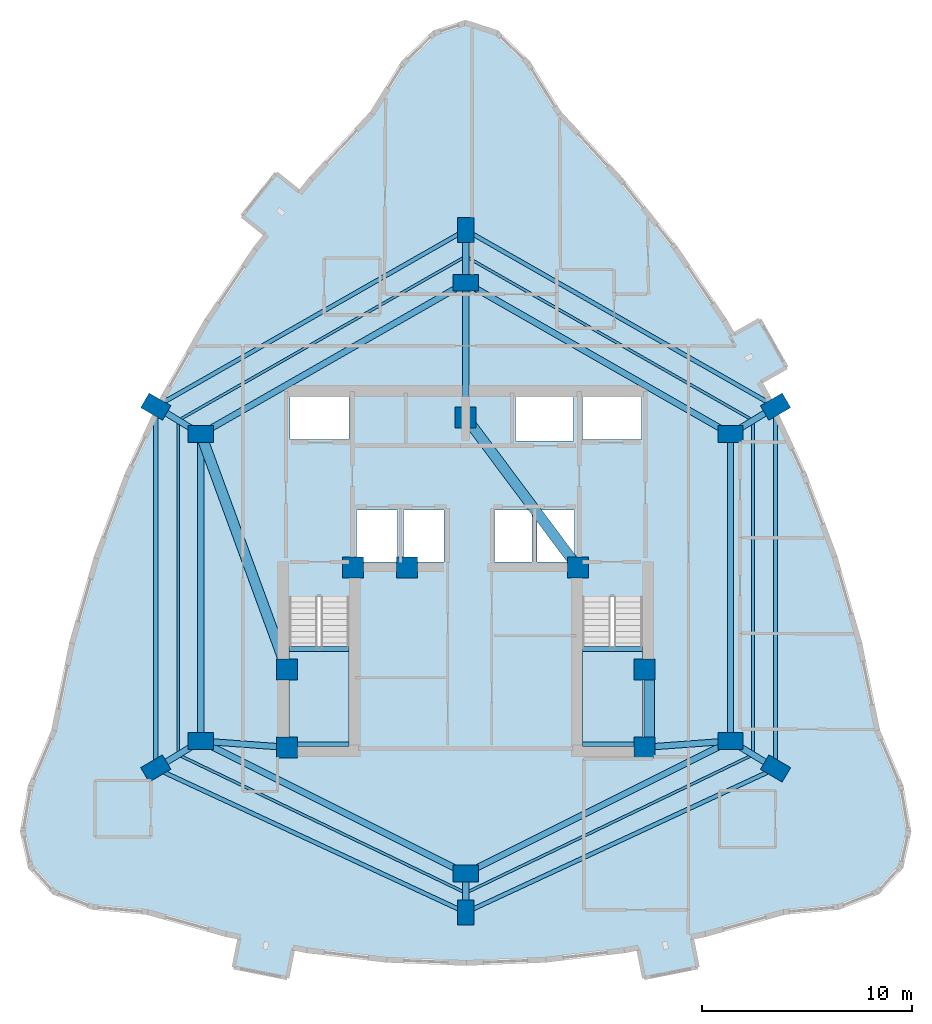
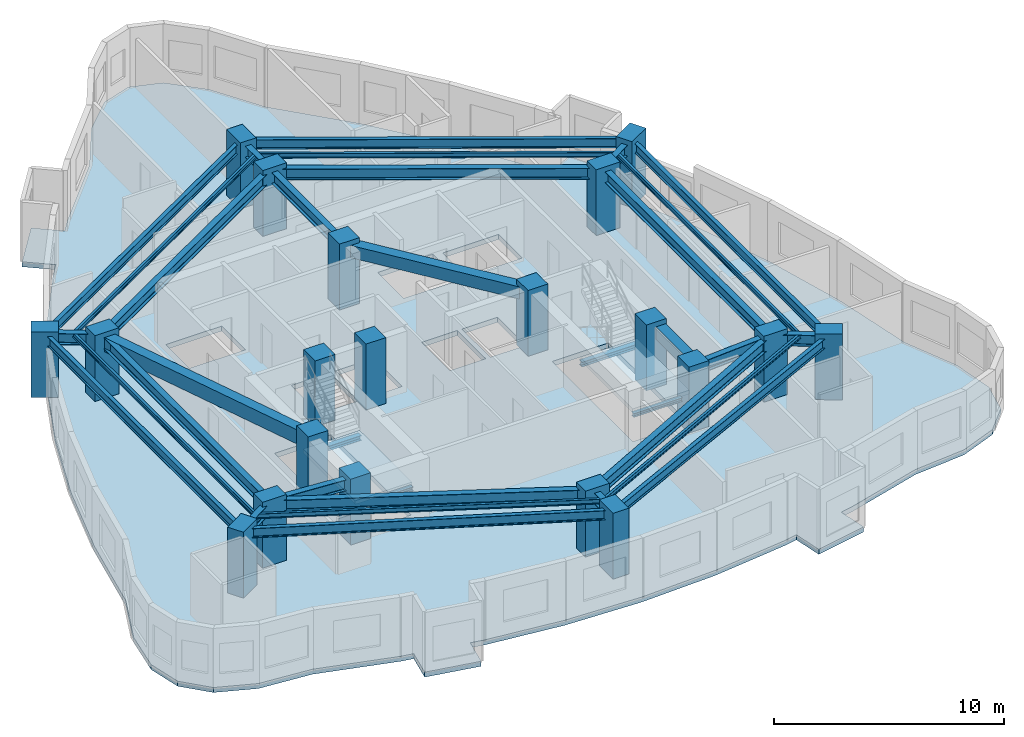
# One storey, part 1 of 8: 34 beams, 20 columns, 3 slabs, 2 elements without a shape of their own.
"""IFC4 building model written with IfcOpenShell, lengths in metres."""

from ifc_helpers import new_model, si_unit, direction, frame, origin, origin_2d, place, context, subcontext, project, spatial, polyline, rectangle, i_section, outline, extrude, material, layer, layer_set, material_profile, profile_set, type_object, element, aggregate, save


model = new_model("IFC4")

# Units and contexts
model_context = context("Model", 3, precision=1e-05, world=origin(), true_north=direction((0.0, 1.0)))
body_context = subcontext(model_context, "Body", "Model", "MODEL_VIEW")
ifc_project = project(units=[si_unit("LENGTHUNIT", "METRE"), si_unit("AREAUNIT", "SQUARE_METRE"), si_unit("VOLUMEUNIT", "CUBIC_METRE"), si_unit("PLANEANGLEUNIT", "RADIAN"), si_unit("MASSUNIT", "GRAM", prefix="KILO")], contexts=[model_context])

# Site, building, storey
site_placement = place(None, origin())
site = spatial("IfcSite", under=ifc_project, at=site_placement, CompositionType="ELEMENT")
building_placement = place(site_placement, origin())
building = spatial("IfcBuilding", under=site, at=building_placement, Name="Miruveldt Soraemaru", CompositionType="ELEMENT")
storey_placement = place(building_placement, frame((0.0, 0.0, 177.39990234375)))
storey = spatial("IfcBuildingStorey", under=building, at=storey_placement, Name="L49", CompositionType="ELEMENT", Elevation=177.39990234375)

# Columns
ifc_material_1 = material(Name="Concrete C60/75 (60 MPa)", Category="concrete")
ifc_material_profile_1 = material_profile(ifc_material_1, rectangle(XDim=1.0, YDim=1.0, at=origin_2d()), Name="Concrete C60/75 (60 MPa)", Category="concrete")
ifc_profile_set_1 = profile_set([ifc_material_profile_1], Name="Concrete C60/75 (60 MPa)")
column_type_1 = type_object("IfcColumnType", Name="COL-CORE-1000", PredefinedType="COLUMN", material=ifc_profile_set_1)
for number, where, z_axis, x_axis, name in (
    (1, (35.5, 35.5, 0.0), (0.0, 0.0, 1.0), (1.0, 0.0, 0.0), "L49 Structural Column CC1"),
    (2, (38.64990234375, 44.050048828125, 0.0), (0.0, 0.0, 1.0), (1.0, 0.0, 0.0), "L49 Structural Column CC2"),
    (3, (52.5, 35.5, 0.0), (0.0, 0.0, 1.0), (1.0, 0.0, 0.0), "L49 Structural Column CC3"),
    (4, (52.5, 39.199951171875, 0.0), (0.0, 0.0, 1.0), (1.0, 0.0, 0.0), "L49 Structural Column CC4"),
    (5, (49.35009765625, 44.050048828125, 0.0), (0.0, 0.0, 1.0), (1.0, 0.0, 0.0), "L49 Structural Column CC5"),
    (6, (44.0, 51.199951171875, 0.0), (0.0, 0.0, 1.0), (1.0, 0.0, 0.0), "L49 Structural Column CC6"),
    (7, (35.5, 39.199951171875, 0.0), (0.0, 0.0, 1.0), (1.0, 0.0, 0.0), "L49 Structural Column CC7"),
    (8, (41.199951171875, 44.050048828125, 0.0), (0.0, 0.0, 1.0), (1.0, 0.0, 0.0), "L49 Structural Column CC8"),
):
    element("IfcColumn", number, at=place(storey_placement, frame(where, z_axis=z_axis, x_axis=x_axis)), inside=storey, type_object=column_type_1, Name=name, PredefinedType="COLUMN", context=body_context, shape_type="SweptSolid", body=[
        extrude(rectangle(XDim=1.0, YDim=1.0, at=origin_2d()), origin(), (0.0, 0.0, 1.0), 3.5),
    ])
ifc_material_2 = material(Name="Concrete C70/85 (70 MPa)", Category="concrete")
ifc_material_profile_2 = material_profile(ifc_material_2, rectangle(XDim=1.199951171875, YDim=0.800048828125, at=origin_2d()), Name="Concrete C70/85 (70 MPa)", Category="concrete")
ifc_profile_set_2 = profile_set([ifc_material_profile_2], Name="Concrete C70/85 (70 MPa)")
column_type_2 = type_object("IfcColumnType", Name="COL-TW-Z2", PredefinedType="COLUMN", material=ifc_profile_set_2)
for number, where, z_axis, x_axis, name in (
    (9, (44.0, 57.60009765625, 0.0), (0.0, 0.0, 1.0), (1.0, 0.0, 0.0), "L49 Structural Column IR01"),
    (10, (56.60009765625, 50.39990234375, 0.0), (0.0, 0.0, 1.0), (1.0, 0.0, 0.0), "L49 Structural Column IR02"),
    (11, (56.60009765625, 35.800048828125, 0.0), (0.0, 0.0, 1.0), (1.0, 0.0, 0.0), "L49 Structural Column IR03"),
    (12, (44.0, 29.5, 0.0), (0.0, 0.0, 1.0), (1.0, 0.0, 0.0), "L49 Structural Column IR04"),
    (13, (31.39990234375, 35.800048828125, 0.0), (0.0, 0.0, 1.0), (1.0, 0.0, 0.0), "L49 Structural Column IR05"),
    (14, (31.39990234375, 50.39990234375, 0.0), (0.0, 0.0, 1.0), (1.0, 0.0, 0.0), "L49 Structural Column IR06"),
    (15, (44.0, 60.10595703125, 0.0), (0.0, 0.0, 1.0), (0.0, 1.0, 0.0), "L49 Structural Column Z2P01"),
    (16, (58.739990234375, 51.705078125, 0.0), (0.0, 0.0, 1.0), (0.866025403784, 0.5, 0.0), "L49 Structural Column Z2P02"),
    (17, (58.739990234375, 34.4951171875, 0.0), (0.0, 0.0, 1.0), (-0.860742027004, 0.50904141575, 0.0), "L49 Structural Column Z2P03"),
    (18, (44.0, 27.64697265625, 0.0), (0.0, 0.0, 1.0), (0.0, 1.0, 0.0), "L49 Structural Column Z2P04"),
    (19, (29.260009765625, 34.4951171875, 0.0), (0.0, 0.0, 1.0), (0.860742027004, 0.50904141575, 0.0), "L49 Structural Column Z2P05"),
    (20, (29.260009765625, 51.705078125, 0.0), (0.0, 0.0, 1.0), (-0.866025403784, 0.5, 0.0), "L49 Structural Column Z2P06"),
):
    element("IfcColumn", number, at=place(storey_placement, frame(where, z_axis=z_axis, x_axis=x_axis)), inside=storey, type_object=column_type_2, Name=name, PredefinedType="COLUMN", context=body_context, shape_type="SweptSolid", body=[
        extrude(rectangle(XDim=1.199951171875, YDim=0.800048828125, at=origin_2d()), origin(), (0.0, 0.0, 1.0), 3.5),
    ])

# Beams
ifc_material_3 = material(Name="Concrete C50/60 (50 MPa)", Category="concrete")
ifc_material_profile_3 = material_profile(ifc_material_3, rectangle(XDim=0.5, YDim=0.64990234375, at=origin_2d()), Name="Concrete C50/60 (50 MPa)", Category="concrete")
ifc_profile_set_3 = profile_set([ifc_material_profile_3], Name="Concrete C50/60 (50 MPa)")
beam_type_1 = type_object("IfcBeamType", Name="BM-RC-500x650", PredefinedType="BEAM", material=ifc_profile_set_3)
beam_1_placement = place(storey_placement, frame((52.72998046875, 35.5, 2.91015625), z_axis=(0.0, 1.0, 0.0), x_axis=(-1.0, 0.0, 0.0)))
element("IfcBeam", 21, at=beam_1_placement, inside=storey, type_object=beam_type_1, Name="L49 Core Tie Beam 3", PredefinedType="BEAM", context=body_context, shape_type="SweptSolid", body=[
    extrude(rectangle(XDim=0.5, YDim=0.64990234375, at=origin_2d()), origin(), (0.0, 0.0, 1.0), 3.699951171875),
])
beam_2_placement = place(storey_placement, frame((49.35009765625, 44.050048828125, 2.91015625), z_axis=(-0.599116023999, 0.800662219533, 0.0), x_axis=(-0.800662219533, -0.599116023999, 0.0)))
element("IfcBeam", 22, at=beam_2_placement, inside=storey, type_object=beam_type_1, Name="L49 Core Tie Beam 5", PredefinedType="BEAM", context=body_context, shape_type="SweptSolid", body=[
    extrude(rectangle(XDim=0.5, YDim=0.64990234375, at=origin_2d()), origin(), (0.0, 0.0, 1.0), 8.929931640625),
])
ifc_material_4 = material(Name="Concrete C40/50 (40 MPa)", Category="concrete")
ifc_material_profile_4 = material_profile(ifc_material_4, rectangle(XDim=0.5, YDim=0.75, at=origin_2d()), Name="Concrete C40/50 (40 MPa)", Category="concrete")
ifc_profile_set_4 = profile_set([ifc_material_profile_4], Name="Concrete C40/50 (40 MPa)")
beam_type_2 = type_object("IfcBeamType", Name="BM-RC-500x750", PredefinedType="LINTEL", material=ifc_profile_set_4)
beam_3_placement = place(storey_placement, frame((31.39990234375, 50.39990234375, 2.860107421875), z_axis=(0.343770424598, -0.939053723262, 0.0), x_axis=(0.939053723262, 0.343770424598, 0.0)))
element("IfcBeam", 23, at=beam_3_placement, inside=storey, type_object=beam_type_2, Name="L49 West Lobby Lintel", PredefinedType="LINTEL", context=body_context, shape_type="SweptSolid", body=[
    extrude(rectangle(XDim=0.5, YDim=0.75, at=origin_2d()), origin(), (0.0, 0.0, 1.0), 11.9267578125),
])
ifc_material_5 = material(Name="Steel SM355 (355 MPa)", Category="steel")
ifc_material_profile_5 = material_profile(ifc_material_5, i_section(OverallWidth=0.125, OverallDepth=0.25, WebThickness=0.006103515625, FlangeThickness=0.009033203125, FilletRadius=0.011962890625, at=origin_2d()), Name="Steel SM355 (355 MPa)", Category="steel")
ifc_profile_set_5 = profile_set([ifc_material_profile_5], Name="Steel SM355 (355 MPa)")
beam_type_3 = type_object("IfcBeamType", Name="BM-ST-H250", PredefinedType="JOIST", material=ifc_profile_set_5)
beam_4_placement = place(storey_placement, frame((44.0, 58.85302734375, 3.110107421875), z_axis=(0.868539859756, -0.495619321672, 0.0), x_axis=(0.495619321672, 0.868539859756, 0.0)))
element("IfcBeam", 24, at=beam_4_placement, inside=storey, type_object=beam_type_3, Name="L49 Outer Bay Floor Joist 1", PredefinedType="JOIST", context=body_context, shape_type="SweptSolid", body=[
    extrude(i_section(OverallWidth=0.125, OverallDepth=0.25, WebThickness=0.006103515625, FlangeThickness=0.009033203125, FilletRadius=0.011962890625, at=origin_2d()), origin(), (0.0, 0.0, 1.0), 15.739013671875),
])
beam_5_placement = place(storey_placement, frame((57.669921875, 51.052490234375, 3.110107421875), z_axis=(0.0, -1.0, 0.0), x_axis=(1.0, 0.0, 0.0)))
element("IfcBeam", 25, at=beam_5_placement, inside=storey, type_object=beam_type_3, Name="L49 Outer Bay Floor Joist 2", PredefinedType="JOIST", context=body_context, shape_type="SweptSolid", body=[
    extrude(i_section(OverallWidth=0.125, OverallDepth=0.25, WebThickness=0.006103515625, FlangeThickness=0.009033203125, FilletRadius=0.011962890625, at=origin_2d()), origin(), (0.0, 0.0, 1.0), 15.905029296875),
])
for number, where, z_axis, x_axis, name in (
    (26, (57.669921875, 35.1474609375, 3.110107421875), (-0.901203586802, -0.433396002676, 0.0), (0.433396002676, -0.901203586802, 0.0), "L49 Outer Bay Floor Joist 3"),
    (27, (44.0, 28.573486328125, 3.110107421875), (-0.901203586802, 0.433396002676, 0.0), (-0.433396002676, -0.901203586802, 0.0), "L49 Outer Bay Floor Joist 4"),
):
    element("IfcBeam", number, at=place(storey_placement, frame(where, z_axis=z_axis, x_axis=x_axis)), inside=storey, type_object=beam_type_3, Name=name, PredefinedType="JOIST", context=body_context, shape_type="SweptSolid", body=[
        extrude(i_section(OverallWidth=0.125, OverallDepth=0.25, WebThickness=0.006103515625, FlangeThickness=0.009033203125, FilletRadius=0.011962890625, at=origin_2d()), origin(), (0.0, 0.0, 1.0), 15.16845703125),
    ])
beam_6_placement = place(storey_placement, frame((30.330078125, 35.1474609375, 3.110107421875), z_axis=(0.0, 1.0, 0.0), x_axis=(-1.0, 0.0, 0.0)))
element("IfcBeam", 28, at=beam_6_placement, inside=storey, type_object=beam_type_3, Name="L49 Outer Bay Floor Joist 5", PredefinedType="JOIST", context=body_context, shape_type="SweptSolid", body=[
    extrude(i_section(OverallWidth=0.125, OverallDepth=0.25, WebThickness=0.006103515625, FlangeThickness=0.009033203125, FilletRadius=0.011962890625, at=origin_2d()), origin(), (0.0, 0.0, 1.0), 15.905029296875),
])
beam_7_placement = place(storey_placement, frame((30.330078125, 51.052490234375, 3.110107421875), z_axis=(0.868539859756, 0.495619321672, 0.0), x_axis=(-0.495619321672, 0.868539859756, 0.0)))
element("IfcBeam", 29, at=beam_7_placement, inside=storey, type_object=beam_type_3, Name="L49 Outer Bay Floor Joist 6", PredefinedType="JOIST", context=body_context, shape_type="SweptSolid", body=[
    extrude(i_section(OverallWidth=0.125, OverallDepth=0.25, WebThickness=0.006103515625, FlangeThickness=0.009033203125, FilletRadius=0.011962890625, at=origin_2d()), origin(), (0.0, 0.0, 1.0), 15.739013671875),
])
ifc_material_profile_6 = material_profile(ifc_material_5, i_section(OverallWidth=0.199951171875, OverallDepth=0.5, WebThickness=0.010009765625, FlangeThickness=0.01611328125, FilletRadius=0.02001953125, at=origin_2d()), Name="Steel SM355 (355 MPa)", Category="steel")
ifc_profile_set_6 = profile_set([ifc_material_profile_6], Name="Steel SM355 (355 MPa)")
beam_type_4 = type_object("IfcBeamType", Name="BM-ST-H500", PredefinedType="SPANDREL", material=ifc_profile_set_6)
beam_8_placement = place(storey_placement, frame((44.0, 60.10595703125, 2.985107421875), z_axis=(0.86880048516, -0.495162313778, 0.0), x_axis=(0.495162313778, 0.86880048516, 0.0)))
element("IfcBeam", 30, at=beam_8_placement, inside=storey, type_object=beam_type_4, Name="L49 Zone-2 Spandrel Beam 1", PredefinedType="SPANDREL", context=body_context, shape_type="SweptSolid", body=[
    extrude(i_section(OverallWidth=0.199951171875, OverallDepth=0.5, WebThickness=0.010009765625, FlangeThickness=0.01611328125, FilletRadius=0.02001953125, at=origin_2d()), origin(), (0.0, 0.0, 1.0), 16.9658203125),
])
beam_9_placement = place(storey_placement, frame((58.739990234375, 51.705078125, 2.985107421875), z_axis=(0.0, -1.0, 0.0), x_axis=(1.0, 0.0, 0.0)))
element("IfcBeam", 31, at=beam_9_placement, inside=storey, type_object=beam_type_4, Name="L49 Zone-2 Spandrel Beam 2", PredefinedType="SPANDREL", context=body_context, shape_type="SweptSolid", body=[
    extrude(i_section(OverallWidth=0.199951171875, OverallDepth=0.5, WebThickness=0.010009765625, FlangeThickness=0.01611328125, FilletRadius=0.02001953125, at=origin_2d()), origin(), (0.0, 0.0, 1.0), 17.2099609375),
])
for number, where, z_axis, x_axis, name in (
    (32, (58.739990234375, 34.4951171875, 2.985107421875), (-0.906901362829, -0.421342993414, 0.0), (0.421342993414, -0.906901362829, 0.0), "L49 Zone-2 Spandrel Beam 3"),
    (33, (44.0, 27.64697265625, 2.985107421875), (-0.906901362829, 0.421342993414, 0.0), (-0.421342993414, -0.906901362829, 0.0), "L49 Zone-2 Spandrel Beam 4"),
):
    element("IfcBeam", number, at=place(storey_placement, frame(where, z_axis=z_axis, x_axis=x_axis)), inside=storey, type_object=beam_type_4, Name=name, PredefinedType="SPANDREL", context=body_context, shape_type="SweptSolid", body=[
        extrude(i_section(OverallWidth=0.199951171875, OverallDepth=0.5, WebThickness=0.010009765625, FlangeThickness=0.01611328125, FilletRadius=0.02001953125, at=origin_2d()), origin(), (0.0, 0.0, 1.0), 16.253173828125),
    ])
beam_10_placement = place(storey_placement, frame((29.260009765625, 34.4951171875, 2.985107421875), z_axis=(0.0, 1.0, 0.0), x_axis=(-1.0, 0.0, 0.0)))
element("IfcBeam", 34, at=beam_10_placement, inside=storey, type_object=beam_type_4, Name="L49 Zone-2 Spandrel Beam 5", PredefinedType="SPANDREL", context=body_context, shape_type="SweptSolid", body=[
    extrude(i_section(OverallWidth=0.199951171875, OverallDepth=0.5, WebThickness=0.010009765625, FlangeThickness=0.01611328125, FilletRadius=0.02001953125, at=origin_2d()), origin(), (0.0, 0.0, 1.0), 17.2099609375),
])
beam_11_placement = place(storey_placement, frame((29.260009765625, 51.705078125, 2.985107421875), z_axis=(0.86880048516, 0.495162313778, 0.0), x_axis=(-0.495162313778, 0.86880048516, 0.0)))
element("IfcBeam", 35, at=beam_11_placement, inside=storey, type_object=beam_type_4, Name="L49 Zone-2 Spandrel Beam 6", PredefinedType="SPANDREL", context=body_context, shape_type="SweptSolid", body=[
    extrude(i_section(OverallWidth=0.199951171875, OverallDepth=0.5, WebThickness=0.010009765625, FlangeThickness=0.01611328125, FilletRadius=0.02001953125, at=origin_2d()), origin(), (0.0, 0.0, 1.0), 16.9658203125),
])
ifc_material_profile_7 = material_profile(ifc_material_5, i_section(OverallWidth=0.300048828125, OverallDepth=0.587890625, WebThickness=0.011962890625, FlangeThickness=0.02001953125, FilletRadius=0.028076171875, at=origin_2d()), Name="Steel SM355 (355 MPa)", Category="steel")
ifc_profile_set_7 = profile_set([ifc_material_profile_7], Name="Steel SM355 (355 MPa)")
beam_type_5 = type_object("IfcBeamType", Name="BM-ST-H588", PredefinedType="BEAM", material=ifc_profile_set_7)
beam_12_placement = place(storey_placement, frame((44.0, 57.60009765625, 2.941162109375), z_axis=(0.868239001029, -0.496146185203, 0.0), x_axis=(0.496146185203, 0.868239001029, 0.0)))
element("IfcBeam", 36, at=beam_12_placement, inside=storey, type_object=beam_type_5, Name="L49 Inner Ring Girder 1", PredefinedType="BEAM", context=body_context, shape_type="SweptSolid", body=[
    extrude(i_section(OverallWidth=0.300048828125, OverallDepth=0.587890625, WebThickness=0.011962890625, FlangeThickness=0.02001953125, FilletRadius=0.028076171875, at=origin_2d()), origin(), (0.0, 0.0, 1.0), 14.51220703125),
])
beam_13_placement = place(storey_placement, frame((44.0, 51.199951171875, 2.941162109375), z_axis=(0.0, 1.0, 0.0), x_axis=(-1.0, 0.0, 0.0)))
element("IfcBeam", 37, at=beam_13_placement, inside=storey, type_object=beam_type_5, Name="L49 Core-to-Inner Radial Girder 1", PredefinedType="BEAM", context=body_context, shape_type="SweptSolid", body=[
    extrude(i_section(OverallWidth=0.300048828125, OverallDepth=0.587890625, WebThickness=0.011962890625, FlangeThickness=0.02001953125, FilletRadius=0.028076171875, at=origin_2d()), origin(), (0.0, 0.0, 1.0), 6.400146484375),
])
beam_14_placement = place(storey_placement, frame((56.60009765625, 50.39990234375, 2.941162109375), z_axis=(0.0, -1.0, 0.0), x_axis=(1.0, 0.0, 0.0)))
element("IfcBeam", 38, at=beam_14_placement, inside=storey, type_object=beam_type_5, Name="L49 Inner Ring Girder 2", PredefinedType="BEAM", context=body_context, shape_type="SweptSolid", body=[
    extrude(i_section(OverallWidth=0.300048828125, OverallDepth=0.587890625, WebThickness=0.011962890625, FlangeThickness=0.02001953125, FilletRadius=0.028076171875, at=origin_2d()), origin(), (0.0, 0.0, 1.0), 14.599853515625),
])
beam_15_placement = place(storey_placement, frame((56.60009765625, 35.800048828125, 2.941162109375), z_axis=(-0.894427191, -0.4472135955, 0.0), x_axis=(0.4472135955, -0.894427191, 0.0)))
element("IfcBeam", 39, at=beam_15_placement, inside=storey, type_object=beam_type_5, Name="L49 Inner Ring Girder 3", PredefinedType="BEAM", context=body_context, shape_type="SweptSolid", body=[
    extrude(i_section(OverallWidth=0.300048828125, OverallDepth=0.587890625, WebThickness=0.011962890625, FlangeThickness=0.02001953125, FilletRadius=0.028076171875, at=origin_2d()), origin(), (0.0, 0.0, 1.0), 14.08740234375),
])
beam_16_placement = place(storey_placement, frame((52.5, 35.5, 2.941162109375), z_axis=(0.997332985605, 0.072985723431, 0.0), x_axis=(-0.072985723431, 0.997332985605, 0.0)))
element("IfcBeam", 40, at=beam_16_placement, inside=storey, type_object=beam_type_5, Name="L49 Core-to-Inner Radial Girder 3", PredefinedType="BEAM", context=body_context, shape_type="SweptSolid", body=[
    extrude(i_section(OverallWidth=0.300048828125, OverallDepth=0.587890625, WebThickness=0.011962890625, FlangeThickness=0.02001953125, FilletRadius=0.028076171875, at=origin_2d()), origin(), (0.0, 0.0, 1.0), 4.111083984375),
])
beam_17_placement = place(storey_placement, frame((44.0, 29.5, 2.941162109375), z_axis=(-0.894427191, 0.4472135955, 0.0), x_axis=(-0.4472135955, -0.894427191, 0.0)))
element("IfcBeam", 41, at=beam_17_placement, inside=storey, type_object=beam_type_5, Name="L49 Inner Ring Girder 4", PredefinedType="BEAM", context=body_context, shape_type="SweptSolid", body=[
    extrude(i_section(OverallWidth=0.300048828125, OverallDepth=0.587890625, WebThickness=0.011962890625, FlangeThickness=0.02001953125, FilletRadius=0.028076171875, at=origin_2d()), origin(), (0.0, 0.0, 1.0), 14.08740234375),
])
beam_18_placement = place(storey_placement, frame((31.39990234375, 35.800048828125, 2.941162109375), z_axis=(0.0, 1.0, 0.0), x_axis=(-1.0, 0.0, 0.0)))
element("IfcBeam", 42, at=beam_18_placement, inside=storey, type_object=beam_type_5, Name="L49 Inner Ring Girder 5", PredefinedType="BEAM", context=body_context, shape_type="SweptSolid", body=[
    extrude(i_section(OverallWidth=0.300048828125, OverallDepth=0.587890625, WebThickness=0.011962890625, FlangeThickness=0.02001953125, FilletRadius=0.028076171875, at=origin_2d()), origin(), (0.0, 0.0, 1.0), 14.599853515625),
])
beam_19_placement = place(storey_placement, frame((35.5, 35.5, 2.941162109375), z_axis=(-0.997332985605, 0.072985723431, 0.0), x_axis=(-0.072985723431, -0.997332985605, 0.0)))
element("IfcBeam", 43, at=beam_19_placement, inside=storey, type_object=beam_type_5, Name="L49 Core-to-Inner Radial Girder 5", PredefinedType="BEAM", context=body_context, shape_type="SweptSolid", body=[
    extrude(i_section(OverallWidth=0.300048828125, OverallDepth=0.587890625, WebThickness=0.011962890625, FlangeThickness=0.02001953125, FilletRadius=0.028076171875, at=origin_2d()), origin(), (0.0, 0.0, 1.0), 4.111083984375),
])
beam_20_placement = place(storey_placement, frame((31.39990234375, 50.39990234375, 2.941162109375), z_axis=(0.868239001029, 0.496146185203, 0.0), x_axis=(-0.496146185203, 0.868239001029, 0.0)))
element("IfcBeam", 44, at=beam_20_placement, inside=storey, type_object=beam_type_5, Name="L49 Inner Ring Girder 6", PredefinedType="BEAM", context=body_context, shape_type="SweptSolid", body=[
    extrude(i_section(OverallWidth=0.300048828125, OverallDepth=0.587890625, WebThickness=0.011962890625, FlangeThickness=0.02001953125, FilletRadius=0.028076171875, at=origin_2d()), origin(), (0.0, 0.0, 1.0), 14.51220703125),
])
beam_21_placement = place(storey_placement, frame((44.0, 57.60009765625, 2.941162109375), z_axis=(0.0, 1.0, 0.0), x_axis=(-1.0, 0.0, 0.0)))
element("IfcBeam", 45, at=beam_21_placement, inside=storey, type_object=beam_type_5, Name="L49 Zone-2 Radial Girder 1", PredefinedType="BEAM", context=body_context, shape_type="SweptSolid", body=[
    extrude(i_section(OverallWidth=0.300048828125, OverallDepth=0.587890625, WebThickness=0.011962890625, FlangeThickness=0.02001953125, FilletRadius=0.028076171875, at=origin_2d()), origin(), (0.0, 0.0, 1.0), 2.505859375),
])
beam_22_placement = place(storey_placement, frame((56.60009765625, 50.39990234375, 2.941162109375), z_axis=(0.85373175529, 0.520713059188, 0.0), x_axis=(-0.520713059188, 0.85373175529, 0.0)))
element("IfcBeam", 46, at=beam_22_placement, inside=storey, type_object=beam_type_5, Name="L49 Zone-2 Radial Girder 2", PredefinedType="BEAM", context=body_context, shape_type="SweptSolid", body=[
    extrude(i_section(OverallWidth=0.300048828125, OverallDepth=0.587890625, WebThickness=0.011962890625, FlangeThickness=0.02001953125, FilletRadius=0.028076171875, at=origin_2d()), origin(), (0.0, 0.0, 1.0), 2.506591796875),
])
beam_23_placement = place(storey_placement, frame((56.60009765625, 35.800048828125, 2.941162109375), z_axis=(0.853775054686, -0.5206420613, 0.0), x_axis=(0.5206420613, 0.853775054686, 0.0)))
element("IfcBeam", 47, at=beam_23_placement, inside=storey, type_object=beam_type_5, Name="L49 Zone-2 Radial Girder 3", PredefinedType="BEAM", context=body_context, shape_type="SweptSolid", body=[
    extrude(i_section(OverallWidth=0.300048828125, OverallDepth=0.587890625, WebThickness=0.011962890625, FlangeThickness=0.02001953125, FilletRadius=0.028076171875, at=origin_2d()), origin(), (0.0, 0.0, 1.0), 2.50634765625),
])
beam_24_placement = place(storey_placement, frame((44.0, 29.5, 2.941162109375), z_axis=(0.0, -1.0, 0.0), x_axis=(1.0, 0.0, 0.0)))
element("IfcBeam", 48, at=beam_24_placement, inside=storey, type_object=beam_type_5, Name="L49 Zone-2 Radial Girder 4", PredefinedType="BEAM", context=body_context, shape_type="SweptSolid", body=[
    extrude(i_section(OverallWidth=0.300048828125, OverallDepth=0.587890625, WebThickness=0.011962890625, FlangeThickness=0.02001953125, FilletRadius=0.028076171875, at=origin_2d()), origin(), (0.0, 0.0, 1.0), 1.85302734375),
])
beam_25_placement = place(storey_placement, frame((31.39990234375, 35.800048828125, 2.941162109375), z_axis=(-0.853775054686, -0.5206420613, 0.0), x_axis=(0.5206420613, -0.853775054686, 0.0)))
element("IfcBeam", 49, at=beam_25_placement, inside=storey, type_object=beam_type_5, Name="L49 Zone-2 Radial Girder 5", PredefinedType="BEAM", context=body_context, shape_type="SweptSolid", body=[
    extrude(i_section(OverallWidth=0.300048828125, OverallDepth=0.587890625, WebThickness=0.011962890625, FlangeThickness=0.02001953125, FilletRadius=0.028076171875, at=origin_2d()), origin(), (0.0, 0.0, 1.0), 2.50634765625),
])
beam_26_placement = place(storey_placement, frame((31.39990234375, 50.39990234375, 2.941162109375), z_axis=(-0.85373175529, 0.520713059188, 0.0), x_axis=(-0.520713059188, -0.85373175529, 0.0)))
element("IfcBeam", 50, at=beam_26_placement, inside=storey, type_object=beam_type_5, Name="L49 Zone-2 Radial Girder 6", PredefinedType="BEAM", context=body_context, shape_type="SweptSolid", body=[
    extrude(i_section(OverallWidth=0.300048828125, OverallDepth=0.587890625, WebThickness=0.011962890625, FlangeThickness=0.02001953125, FilletRadius=0.028076171875, at=origin_2d()), origin(), (0.0, 0.0, 1.0), 2.506591796875),
])
ifc_material_profile_8 = material_profile(ifc_material_5, i_section(OverallWidth=0.199951171875, OverallDepth=0.199951171875, WebThickness=0.008056640625, FlangeThickness=0.011962890625, FilletRadius=0.012939453125, at=origin_2d()), Name="Steel SM355 (355 MPa)", Category="steel")
ifc_profile_set_8 = profile_set([ifc_material_profile_8], Name="Steel SM355 (355 MPa)")
beam_type_6 = type_object("IfcBeamType", Name="BM-ST-LND200", PredefinedType="BEAM", material=ifc_profile_set_8)
for number, where, z_axis, x_axis, name in (
    (51, (35.60009765625, 35.64990234375, 1.4501953125), (1.0, 0.0, 0.0), (0.0, 1.0, 0.0), "L49 ST1 Landing End Beam 1B"),
    (52, (49.550048828125, 35.64990234375, 1.4501953125), (1.0, 0.0, 0.0), (0.0, 1.0, 0.0), "L49 ST2 Landing End Beam 1B"),
):
    element("IfcBeam", number, at=place(storey_placement, frame(where, z_axis=z_axis, x_axis=x_axis)), inside=storey, type_object=beam_type_6, Name=name, PredefinedType="BEAM", context=body_context, shape_type="SweptSolid", body=[
        extrude(i_section(OverallWidth=0.199951171875, OverallDepth=0.199951171875, WebThickness=0.008056640625, FlangeThickness=0.011962890625, FilletRadius=0.012939453125, at=origin_2d()), origin(), (0.0, 0.0, 1.0), 2.849853515625),
    ])
ifc_material_profile_9 = material_profile(ifc_material_5, i_section(OverallWidth=0.25, OverallDepth=0.25, WebThickness=0.009033203125, FlangeThickness=0.013916015625, FilletRadius=0.01611328125, at=origin_2d()), Name="Steel SM355 (355 MPa)", Category="steel")
ifc_profile_set_9 = profile_set([ifc_material_profile_9], Name="Steel SM355 (355 MPa)")
beam_type_7 = type_object("IfcBeamType", Name="BM-ST-LND250", PredefinedType="BEAM", material=ifc_profile_set_9)
for number, where, z_axis, x_axis, name in (
    (53, (35.60009765625, 40.179931640625, 1.425048828125), (1.0, 0.0, 0.0), (0.0, 1.0, 0.0), "L49 ST1 Landing Support Beam 1A"),
    (54, (49.550048828125, 40.179931640625, 1.425048828125), (1.0, 0.0, 0.0), (0.0, 1.0, 0.0), "L49 ST2 Landing Support Beam 1A"),
):
    element("IfcBeam", number, at=place(storey_placement, frame(where, z_axis=z_axis, x_axis=x_axis)), inside=storey, type_object=beam_type_7, Name=name, PredefinedType="BEAM", context=body_context, shape_type="SweptSolid", body=[
        extrude(i_section(OverallWidth=0.25, OverallDepth=0.25, WebThickness=0.009033203125, FlangeThickness=0.013916015625, FilletRadius=0.01611328125, at=origin_2d()), origin(), (0.0, 0.0, 1.0), 2.849853515625),
    ])

# Stair, slab
stair_type = type_object("IfcStairType", Name="STAIR-DL-350", PredefinedType="HALF_TURN_STAIR", material=ifc_material_4)
stair_1_placement = place(storey_placement, origin())
stair_1 = element("IfcStair", 55, at=stair_1_placement, inside=storey, type_object=stair_type, Name="L49 Protected Exit Stair ST-1", PredefinedType="HALF_TURN_STAIR")
ifc_layer_1 = layer(ifc_material_4, 0.199951171875, Name="Concrete C40/50 (40 MPa)", Category="concrete")
ifc_layer_set_1 = layer_set([ifc_layer_1], Name="Concrete C40/50 (40 MPa)")
slab_type_1 = type_object("IfcSlabType", Name="SLAB-LAND-200", PredefinedType="LANDING", material=ifc_layer_set_1)
slab_1_placement = place(storey_placement, frame((0.0, 0.0, 1.550048828125)))
slab_1 = element("IfcSlab", 56, at=slab_1_placement, type_object=slab_type_1, Name="ST-1 landing 1", PredefinedType="LANDING", context=body_context, shape_type="SweptSolid", body=[
    extrude(outline(polyline([(35.60009765625, 40.197998046875), (35.60009765625, 35.64990234375), (38.449951171875, 35.64990234375), (38.449951171875, 40.197998046875), (35.60009765625, 40.197998046875)])), origin(), (0.0, 0.0, 1.0), 0.199951171875),
])
aggregate(stair_1, [slab_1])

stair_2_placement = place(storey_placement, origin())
stair_2 = element("IfcStair", 57, at=stair_2_placement, inside=storey, type_object=stair_type, Name="L49 Protected Exit Stair ST-2", PredefinedType="HALF_TURN_STAIR")
slab_2_placement = place(storey_placement, frame((0.0, 0.0, 1.550048828125)))
slab_2 = element("IfcSlab", 58, at=slab_2_placement, type_object=slab_type_1, Name="ST-2 landing 1", PredefinedType="LANDING", context=body_context, shape_type="SweptSolid", body=[
    extrude(outline(polyline([(49.550048828125, 40.197998046875), (49.550048828125, 35.64990234375), (52.39990234375, 35.64990234375), (52.39990234375, 40.197998046875), (49.550048828125, 40.197998046875)])), origin(), (0.0, 0.0, 1.0), 0.199951171875),
])
aggregate(stair_2, [slab_2])

# Slab
ifc_layer_2 = layer(ifc_material_4, 0.264892578125, Name="Concrete C40/50 (40 MPa)", Category="concrete")
ifc_layer_set_2 = layer_set([ifc_layer_2], Name="Concrete C40/50 (40 MPa)")
slab_type_2 = type_object("IfcSlabType", Name="SLAB-RES2-265", PredefinedType="FLOOR", material=ifc_layer_set_2)
slab_3_placement = place(storey_placement, frame((0.0, 0.0, -0.264892578125)))
element("IfcSlab", 59, at=slab_3_placement, inside=storey, type_object=slab_type_2, Name="L49 Structural Floor Slab", PredefinedType="FLOOR", context=body_context, shape_type="SweptSolid", body=[
    extrude(outline(polyline([(32.964599609375, 25.035888671875), (33.254638671875, 26.4873046875), (34.529541015625, 26.232421875), (32.635498046875, 26.611083984375), (28.84716796875, 27.671875), (26.2626953125, 27.91064453125), (24.41650390625, 28.626708984375), (23.30908203125, 29.820556640625), (22.939697265625, 31.49169921875), (23.30908203125, 33.640380859375), (24.41650390625, 36.2666015625), (25.281982421875, 40.471435546875), (26.441162109375, 44.5244140625), (27.894287109375, 48.42626953125), (29.641357421875, 52.17626953125), (31.6826171875, 55.77490234375), (34.017578125, 59.221923828125), (34.521240234375, 59.853515625), (33.3642578125, 60.776611328125), (34.985595703125, 62.80908203125), (36.142578125, 61.885986328125), (35.33203125, 60.86962890625), (36.646484375, 62.517578125), (39.5693359375, 65.66162109375), (41.04638671875, 68.049072265625), (42.523193359375, 69.4814453125), (44.0, 69.958984375), (45.476806640625, 69.4814453125), (46.95361328125, 68.049072265625), (48.4306640625, 65.66162109375), (51.353515625, 62.517578125), (53.982421875, 59.221923828125), (56.3173828125, 55.77490234375), (57.337890625, 53.9755859375), (56.69677734375, 55.1064453125), (57.98388671875, 55.836669921875), (59.2666015625, 53.574951171875), (57.9794921875, 52.8447265625), (58.358642578125, 52.17626953125), (60.105712890625, 48.42626953125), (61.558837890625, 44.5244140625), (62.718017578125, 40.471435546875), (63.58349609375, 36.2666015625), (64.69091796875, 33.640380859375), (65.060302734375, 31.49169921875), (64.69091796875, 29.820556640625), (63.58349609375, 28.626708984375), (61.7373046875, 27.91064453125), (59.15283203125, 27.671875), (55.364501953125, 26.611083984375), (53.470458984375, 26.232421875), (54.745361328125, 26.4873046875), (55.035400390625, 25.035888671875), (52.48583984375, 24.526123046875), (52.19580078125, 25.977294921875), (51.576416015625, 25.853515625), (47.7880859375, 25.39892578125), (44.0, 25.247314453125), (40.2119140625, 25.39892578125), (36.423583984375, 25.853515625), (35.80419921875, 25.977294921875), (35.51416015625, 24.526123046875), (32.964599609375, 25.035888671875)]), holes=[polyline([(35.614990234375, 35.6650390625), (38.43505859375, 35.6650390625), (38.43505859375, 42.68505859375), (35.614990234375, 42.68505859375), (35.614990234375, 35.6650390625)]), polyline([(49.56494140625, 35.6650390625), (52.385009765625, 35.6650390625), (52.385009765625, 42.68505859375), (49.56494140625, 42.68505859375), (49.56494140625, 35.6650390625)]), polyline([(40.764892578125, 44.31494140625), (40.764892578125, 46.784912109375), (38.81494140625, 46.784912109375), (38.81494140625, 44.31494140625), (40.764892578125, 44.31494140625)]), polyline([(42.965087890625, 44.31494140625), (42.965087890625, 46.784912109375), (41.034912109375, 46.784912109375), (41.034912109375, 44.31494140625), (42.965087890625, 44.31494140625)]), polyline([(47.1650390625, 44.31494140625), (47.1650390625, 46.784912109375), (45.364990234375, 46.784912109375), (45.364990234375, 44.31494140625), (47.1650390625, 44.31494140625)]), polyline([(49.18505859375, 44.31494140625), (49.18505859375, 46.784912109375), (47.39501953125, 46.784912109375), (47.39501953125, 44.31494140625), (49.18505859375, 44.31494140625)]), polyline([(38.445068359375, 50.135009765625), (38.445068359375, 52.205078125), (35.635009765625, 52.205078125), (35.635009765625, 50.135009765625), (38.445068359375, 50.135009765625)]), polyline([(49.554931640625, 50.135009765625), (52.364990234375, 50.135009765625), (52.364990234375, 52.205078125), (49.554931640625, 52.205078125), (49.554931640625, 50.135009765625)]), polyline([(46.364990234375, 50.06494140625), (49.135009765625, 50.06494140625), (49.135009765625, 52.3349609375), (46.364990234375, 52.3349609375), (46.364990234375, 50.06494140625)])]), origin(), (0.0, 0.0, 1.0), 0.264892578125),
])

save(model, "model.ifc")
